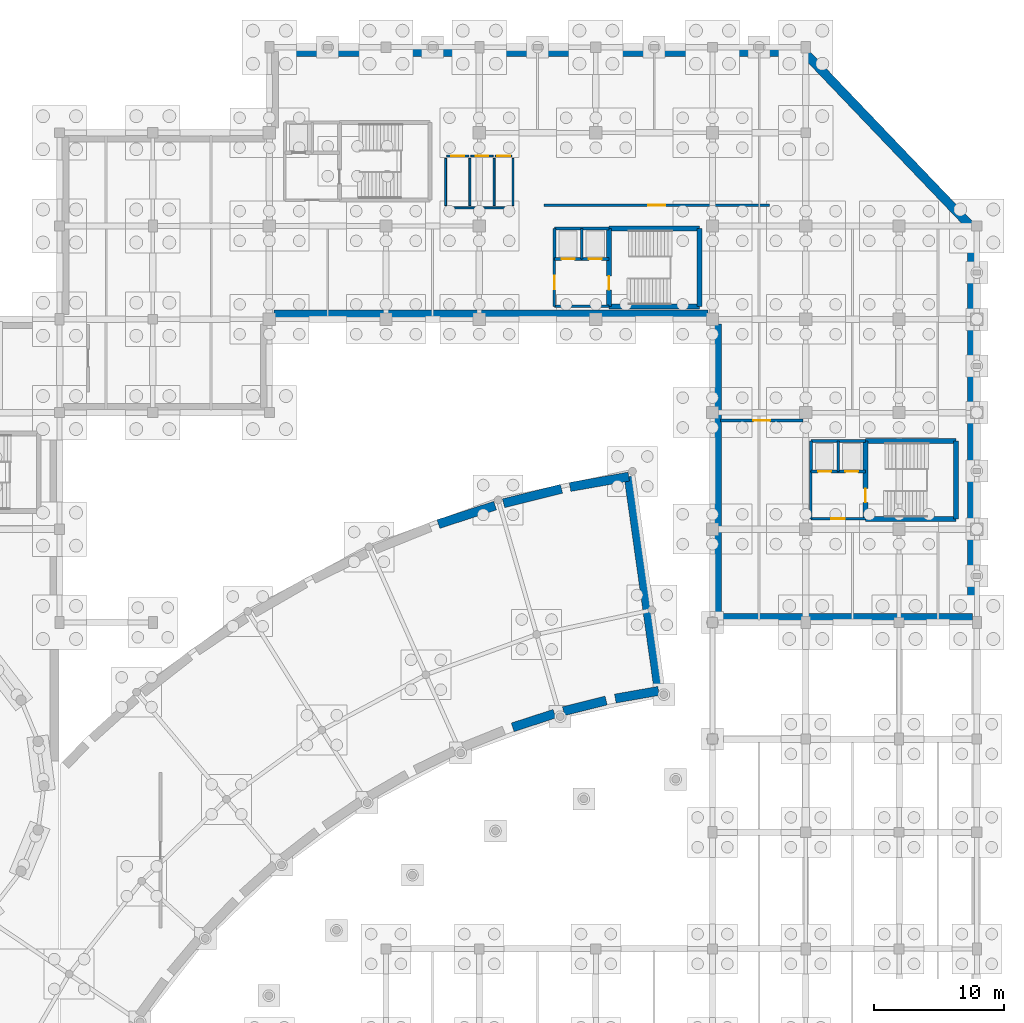
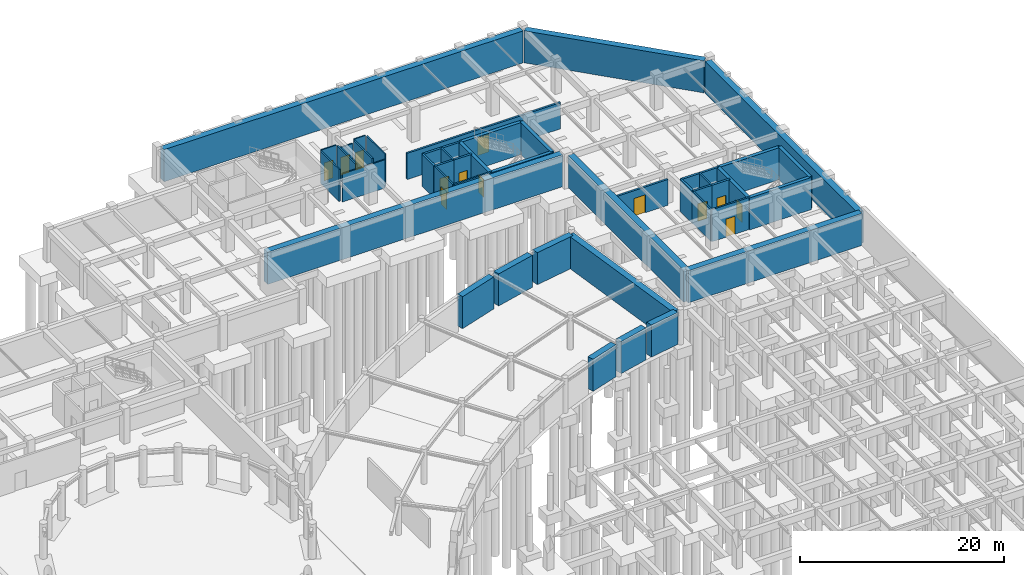
# One storey, part 37 of 42: 45 walls, 13 doors, 13 openings.
"""IFC4 building model written with IfcOpenShell, lengths in metres."""

from ifc_helpers import new_model, si_unit, direction, frame, frame_2d, origin, place, context, subcontext, project, spatial, rectangle, extrude, material, layer, layer_set, type_object, element, fill, save


model = new_model("IFC4")

# Units and contexts
model_context = context("Model", 3, precision=1e-05, world=origin(), true_north=direction((0.0, 1.0)))
body_context = subcontext(model_context, "Body", "Model", "MODEL_VIEW")
ifc_project = project(units=[si_unit("LENGTHUNIT", "METRE"), si_unit("AREAUNIT", "SQUARE_METRE"), si_unit("VOLUMEUNIT", "CUBIC_METRE"), si_unit("PLANEANGLEUNIT", "RADIAN"), si_unit("MASSUNIT", "GRAM", prefix="KILO")], contexts=[model_context])

# Site, building, storey
site_placement = place(None, origin())
site = spatial("IfcSite", under=ifc_project, at=site_placement, CompositionType="ELEMENT")
building_placement = place(site_placement, origin())
building = spatial("IfcBuilding", under=site, at=building_placement, Name="Clarverna Civic Hall", CompositionType="ELEMENT")
storey_placement = place(building_placement, frame((0.0, 0.0, -4.199951171875)))
storey = spatial("IfcBuildingStorey", under=building, at=storey_placement, Name="B01", CompositionType="ELEMENT", Elevation=-4.199951171875)

# Walls
ifc_material_1 = material(Name="Concrete C30/37", Category="concrete")
ifc_layer_1 = layer(ifc_material_1, 0.699951171875)
ifc_layer_set_1 = layer_set([ifc_layer_1], Name="Concrete C30/37")
wall_type_1 = type_object("IfcWallType", Name="DW-01", PredefinedType="SOLIDWALL", material=ifc_layer_set_1)
wall_1_placement = place(storey_placement, frame((113.75, 115.64990234375, 0.0), z_axis=(0.0, 0.0, 1.0), x_axis=(1.0, 0.0, 0.0)))
element("IfcWall", 1, at=wall_1_placement, inside=storey, type_object=wall_type_1, Name="DW-01-008", PredefinedType="SOLIDWALL", context=body_context, shape_type="SweptSolid", body=[
    extrude(rectangle(XDim=40.699951171875, YDim=0.699951171875, at=frame_2d((20.35009765625, 0.0))), origin(), (0.0, 0.0, 1.0), 3.83984375),
])
wall_2_placement = place(storey_placement, frame((154.7890625, 115.505126953125, 0.0), z_axis=(0.0, 0.0, 1.0), x_axis=(0.691219331489, -0.722645027504, 0.0)))
element("IfcWall", 2, at=wall_2_placement, inside=storey, type_object=wall_type_1, Name="DW-01-009", PredefinedType="SOLIDWALL", context=body_context, shape_type="SweptSolid", body=[
    extrude(rectangle(XDim=18.396484375, YDim=0.699951171875, at=frame_2d((9.1982421875, 0.0))), origin(), (0.0, 0.0, 1.0), 3.83984375),
])
wall_3_placement = place(storey_placement, frame((167.64990234375, 101.85009765625, 0.0), z_axis=(0.0, 0.0, 1.0), x_axis=(0.0, -1.0, 0.0)))
element("IfcWall", 3, at=wall_3_placement, inside=storey, type_object=wall_type_1, Name="DW-01-010", PredefinedType="SOLIDWALL", context=body_context, shape_type="SweptSolid", body=[
    extrude(rectangle(XDim=29.900146484375, YDim=0.699951171875, at=frame_2d((14.9501953125, 0.0))), origin(), (0.0, 0.0, 1.0), 3.83984375),
])
wall_4_placement = place(storey_placement, frame((167.64990234375, 71.949951171875, 0.0), z_axis=(0.0, 0.0, 1.0), x_axis=(-1.0, 0.0, 0.0)))
element("IfcWall", 4, at=wall_4_placement, inside=storey, type_object=wall_type_1, Name="DW-01-011", PredefinedType="SOLIDWALL", context=body_context, shape_type="SweptSolid", body=[
    extrude(rectangle(XDim=19.699951171875, YDim=0.699951171875, at=frame_2d((9.85009765625, 0.0))), origin(), (0.0, 0.0, 1.0), 3.83984375),
])
wall_5_placement = place(storey_placement, frame((147.949951171875, 71.949951171875, 0.0), z_axis=(0.0, 0.0, 1.0), x_axis=(0.0, 1.0, 0.0)))
element("IfcWall", 5, at=wall_5_placement, inside=storey, type_object=wall_type_1, Name="DW-01-012", PredefinedType="SOLIDWALL", context=body_context, shape_type="SweptSolid", body=[
    extrude(rectangle(XDim=22.699951171875, YDim=0.699951171875, at=frame_2d((11.35009765625, 0.0))), origin(), (0.0, 0.0, 1.0), 3.83984375),
])
wall_6_placement = place(storey_placement, frame((147.25, 95.35009765625, 0.0), z_axis=(0.0, 0.0, 1.0), x_axis=(-1.0, 0.0, 0.0)))
element("IfcWall", 6, at=wall_6_placement, inside=storey, type_object=wall_type_1, Name="DW-01-013", PredefinedType="SOLIDWALL", context=body_context, shape_type="SweptSolid", body=[
    extrude(rectangle(XDim=33.5, YDim=0.699951171875, at=frame_2d((16.75, 0.0))), origin(), (0.0, 0.0, 1.0), 3.83984375),
])
for number, where, z_axis, x_axis, name in (
    (7, (126.447509765625, 79.19189453125, 0.0), (0.0, 0.0, 1.0), (0.95104731501, 0.309045311584, 0.0), "DW-01-024"),
    (8, (131.475830078125, 80.801025390625, 0.0), (0.0, 0.0, 1.0), (0.970307570533, 0.241874385923, 0.0), "DW-01-025"),
    (9, (136.604248046875, 82.055419921875, 0.0), (0.0, 0.0, 1.0), (0.984808635587, 0.17364317226, 0.0), "DW-01-026"),
):
    element("IfcWall", number, at=place(storey_placement, frame(where, z_axis=z_axis, x_axis=x_axis)), inside=storey, type_object=wall_type_1, Name=name, PredefinedType="SOLIDWALL", context=body_context, shape_type="SweptSolid", body=[
        extrude(rectangle(XDim=4.604736328125, YDim=0.699951171875, at=frame_2d((2.30224609375, 0.0))), origin(), (0.0, 0.0, 1.0), 3.83984375),
    ])
wall_7_placement = place(storey_placement, frame((141.125, 82.864990234375, 0.0), z_axis=(0.0, 0.0, 1.0), x_axis=(0.139175760023, -0.990267695031, 0.0)))
element("IfcWall", 10, at=wall_7_placement, inside=storey, type_object=wall_type_1, Name="DW-01-027", PredefinedType="SOLIDWALL", context=body_context, shape_type="SweptSolid", body=[
    extrude(rectangle(XDim=16.699951171875, YDim=0.699951171875, at=frame_2d((8.35009765625, 0.0))), origin(), (0.0, 0.0, 1.0), 3.83984375),
])
for number, where, z_axis, x_axis, name in (
    (11, (143.43896484375, 66.313720703125, 0.0), (0.0, 0.0, 1.0), (-0.984798779589, -0.173699060795, 0.0), "DW-01-028"),
    (12, (139.39208984375, 65.57421875, 0.0), (0.0, 0.0, 1.0), (-0.970303256725, -0.241891690615, 0.0), "DW-01-029"),
):
    element("IfcWall", number, at=place(storey_placement, frame(where, z_axis=z_axis, x_axis=x_axis)), inside=storey, type_object=wall_type_1, Name=name, PredefinedType="SOLIDWALL", context=body_context, shape_type="SweptSolid", body=[
        extrude(rectangle(XDim=3.39013671875, YDim=0.699951171875, at=frame_2d((1.695068359375, 0.0))), origin(), (0.0, 0.0, 1.0), 3.83984375),
    ])
wall_8_placement = place(storey_placement, frame((135.40673828125, 64.5546875, 0.0), z_axis=(0.0, 0.0, 1.0), x_axis=(-0.951061054299, -0.309003027485, 0.0)))
element("IfcWall", 13, at=wall_8_placement, inside=storey, type_object=wall_type_1, Name="DW-01-030", PredefinedType="SOLIDWALL", context=body_context, shape_type="SweptSolid", body=[
    extrude(rectangle(XDim=3.390380859375, YDim=0.699951171875, at=frame_2d((1.6953125, 0.0))), origin(), (0.0, 0.0, 1.0), 3.83984375),
])
ifc_material_2 = material(Name="Ceramic Brick and Plaster Wet-Room Partition", Category="masonry")
ifc_layer_2 = layer(ifc_material_2, 0.139892578125)
ifc_layer_set_2 = layer_set([ifc_layer_2], Name="Ceramic Brick and Plaster Wet-Room Partition")
wall_type_2 = type_object("IfcWallType", Name="PW-02", PredefinedType="PARTITIONING", material=ifc_layer_set_2)
wall_9_placement = place(storey_placement, frame((127.179931640625, 103.60009765625, 0.0), z_axis=(0.0, 0.0, 1.0), x_axis=(1.0, 0.0, 0.0)))
element("IfcWall", 14, at=wall_9_placement, inside=storey, type_object=wall_type_2, Name="PW-02-001", PredefinedType="PARTITIONING", context=body_context, shape_type="SweptSolid", body=[
    extrude(rectangle(XDim=4.840087890625, YDim=0.139892578125, at=frame_2d((2.419921875, 0.0))), origin(), (0.0, 0.0, 1.0), 3.389892578125),
])
for number, where, z_axis, x_axis, name in (
    (15, (127.0, 103.780029296875, 0.0), (0.0, 0.0, 1.0), (0.0, 1.0, 0.0), "PW-02-002"),
    (16, (132.199951171875, 103.780029296875, 0.0), (0.0, 0.0, 1.0), (0.0, 1.0, 0.0), "PW-02-003"),
    (17, (128.8720703125, 103.780029296875, 0.0), (0.0, 0.0, 1.0), (0.0, 1.0, 0.0), "PW-02-004"),
    (18, (130.743896484375, 103.780029296875, 0.0), (0.0, 0.0, 1.0), (0.0, 1.0, 0.0), "PW-02-005"),
):
    element("IfcWall", number, at=place(storey_placement, frame(where, z_axis=z_axis, x_axis=x_axis)), inside=storey, type_object=wall_type_2, Name=name, PredefinedType="PARTITIONING", context=body_context, shape_type="SweptSolid", body=[
        extrude(rectangle(XDim=3.639892578125, YDim=0.139892578125, at=frame_2d((1.81982421875, 0.0))), origin(), (0.0, 0.0, 1.0), 3.83984375),
    ])

# Wall, opening, door
wall_10_placement = place(storey_placement, frame((127.080078125, 107.60009765625, 0.0), z_axis=(0.0, 0.0, 1.0), x_axis=(1.0, 0.0, 0.0)))
wall_10 = element("IfcWall", 19, at=wall_10_placement, inside=storey, type_object=wall_type_2, Name="PW-02-006", PredefinedType="PARTITIONING", context=body_context, shape_type="SweptSolid", body=[
    extrude(rectangle(XDim=1.7119140625, YDim=0.139892578125, at=frame_2d((0.85595703125, 0.0))), origin(), (0.0, 0.0, 1.0), 3.83984375),
])
opening_1_placement = place(wall_10_placement, frame((0.35595703125, 0.0, 0.0)))
opening_1 = element("IfcOpeningElement", 20, at=opening_1_placement, cuts=wall_10, Name="Opening ID-02", PredefinedType="OPENING", context=body_context, shape_type="SweptSolid", body=[
    extrude(rectangle(XDim=1.0, YDim=2.14990234375, at=frame_2d((0.5, 1.074951171875))), frame((0.0, 0.079833984375, 0.0), z_axis=(0.0, -1.0, 0.0), x_axis=(1.0, 0.0, 0.0)), (0.0, 0.0, 1.0), 0.159912109375),
])
ifc_material_3 = material(Name="European Oak Veneered Acoustic Timber Door", Category="wood")
door_type_1 = type_object("IfcDoorType", Name="ID-02", OperationType="NOTDEFINED", PredefinedType="DOOR", material=ifc_material_3)
door_1_placement = place(opening_1_placement, origin())
door_1 = element("IfcDoor", 21, at=door_1_placement, inside=storey, type_object=door_type_1, Name="ID-02-001", OperationType="SINGLE_SWING_LEFT", OverallHeight=2.14990234375, OverallWidth=1.0, PredefinedType="DOOR", context=body_context, shape_type="SweptSolid", body=[
    extrude(rectangle(XDim=1.0, YDim=2.14990234375, at=frame_2d((0.5, 1.074951171875))), frame((0.0, 0.02490234375, 0.0), z_axis=(0.0, -1.0, 0.0), x_axis=(1.0, 0.0, 0.0)), (0.0, 0.0, 1.0), 0.050048828125),
])
fill(opening_1, door_1)

wall_11_placement = place(storey_placement, frame((128.951904296875, 107.60009765625, 0.0), z_axis=(0.0, 0.0, 1.0), x_axis=(1.0, 0.0, 0.0)))
wall_11 = element("IfcWall", 22, at=wall_11_placement, inside=storey, type_object=wall_type_2, Name="PW-02-007", PredefinedType="PARTITIONING", context=body_context, shape_type="SweptSolid", body=[
    extrude(rectangle(XDim=1.712158203125, YDim=0.139892578125, at=frame_2d((0.85595703125, 0.0))), origin(), (0.0, 0.0, 1.0), 3.389892578125),
])
opening_2_placement = place(wall_11_placement, frame((0.35595703125, 0.0, 0.0)))
opening_2 = element("IfcOpeningElement", 23, at=opening_2_placement, cuts=wall_11, Name="Opening ID-02", PredefinedType="OPENING", context=body_context, shape_type="SweptSolid", body=[
    extrude(rectangle(XDim=1.0, YDim=2.14990234375, at=frame_2d((0.5, 1.074951171875))), frame((0.0, 0.079833984375, 0.0), z_axis=(0.0, -1.0, 0.0), x_axis=(1.0, 0.0, 0.0)), (0.0, 0.0, 1.0), 0.159912109375),
])
door_2_placement = place(opening_2_placement, origin())
door_2 = element("IfcDoor", 24, at=door_2_placement, inside=storey, type_object=door_type_1, Name="ID-02-002", OperationType="SINGLE_SWING_RIGHT", OverallHeight=2.14990234375, OverallWidth=1.0, PredefinedType="DOOR", context=body_context, shape_type="SweptSolid", body=[
    extrude(rectangle(XDim=1.0, YDim=2.14990234375, at=frame_2d((0.5, 1.074951171875))), frame((0.0, 0.02490234375, 0.0), z_axis=(0.0, -1.0, 0.0), x_axis=(1.0, 0.0, 0.0)), (0.0, 0.0, 1.0), 0.050048828125),
])
fill(opening_2, door_2)

wall_12_placement = place(storey_placement, frame((130.823974609375, 107.60009765625, 0.0), z_axis=(0.0, 0.0, 1.0), x_axis=(1.0, 0.0, 0.0)))
wall_12 = element("IfcWall", 25, at=wall_12_placement, inside=storey, type_object=wall_type_2, Name="PW-02-008", PredefinedType="PARTITIONING", context=body_context, shape_type="SweptSolid", body=[
    extrude(rectangle(XDim=1.296142578125, YDim=0.139892578125, at=frame_2d((0.64794921875, 0.0))), origin(), (0.0, 0.0, 1.0), 3.83984375),
])
opening_3_placement = place(wall_12_placement, frame((0.14794921875, 0.0, 0.0)))
opening_3 = element("IfcOpeningElement", 26, at=opening_3_placement, cuts=wall_12, Name="Opening ID-02", PredefinedType="OPENING", context=body_context, shape_type="SweptSolid", body=[
    extrude(rectangle(XDim=1.0, YDim=2.14990234375, at=frame_2d((0.5, 1.074951171875))), frame((0.0, 0.079833984375, 0.0), z_axis=(0.0, -1.0, 0.0), x_axis=(1.0, 0.0, 0.0)), (0.0, 0.0, 1.0), 0.159912109375),
])
door_3_placement = place(opening_3_placement, origin())
door_3 = element("IfcDoor", 27, at=door_3_placement, inside=storey, type_object=door_type_1, Name="ID-02-003", OperationType="SINGLE_SWING_LEFT", OverallHeight=2.14990234375, OverallWidth=1.0, PredefinedType="DOOR", context=body_context, shape_type="SweptSolid", body=[
    extrude(rectangle(XDim=1.0, YDim=2.14990234375, at=frame_2d((0.5, 1.074951171875))), frame((0.0, 0.02490234375, 0.0), z_axis=(0.0, -1.0, 0.0), x_axis=(1.0, 0.0, 0.0)), (0.0, 0.0, 1.0), 0.050048828125),
])
fill(opening_3, door_3)

ifc_material_4 = material(Name="Aerated Concrete Masonry Blockwork", Category="masonry")
ifc_layer_3 = layer(ifc_material_4, 0.219970703125)
ifc_layer_set_3 = layer_set([ifc_layer_3], Name="Aerated Concrete Masonry Blockwork")
wall_type_3 = type_object("IfcWallType", Name="PW-05", PredefinedType="PARTITIONING", material=ifc_layer_set_3)
wall_13_placement = place(storey_placement, frame((134.60009765625, 103.800048828125, 0.0), z_axis=(0.0, 0.0, 1.0), x_axis=(1.0, 0.0, 0.0)))
wall_13 = element("IfcWall", 28, at=wall_13_placement, inside=storey, type_object=wall_type_3, Name="PW-05-001", PredefinedType="PARTITIONING", context=body_context, shape_type="SweptSolid", body=[
    extrude(rectangle(XDim=17.39990234375, YDim=0.219970703125, at=frame_2d((8.699951171875, 0.0))), origin(), (0.0, 0.0, 1.0), 3.139892578125),
])
opening_4_placement = place(wall_13_placement, frame((8.050048828125, 0.0, 0.0)))
opening_4 = element("IfcOpeningElement", 29, at=opening_4_placement, cuts=wall_13, Name="Opening FD-05", PredefinedType="OPENING", context=body_context, shape_type="SweptSolid", body=[
    extrude(rectangle(XDim=1.300048828125, YDim=2.14990234375, at=frame_2d((0.64990234375, 1.074951171875))), frame((0.0, 0.119873046875, 0.0), z_axis=(0.0, -1.0, 0.0), x_axis=(1.0, 0.0, 0.0)), (0.0, 0.0, 1.0), 0.239990234375),
])
ifc_material_5 = material(Name="Acoustic Steel Plant Fire Door", Category="steel")
door_type_2 = type_object("IfcDoorType", Name="FD-05", OperationType="NOTDEFINED", PredefinedType="DOOR", material=ifc_material_5)
door_4_placement = place(opening_4_placement, origin())
door_4 = element("IfcDoor", 30, at=door_4_placement, inside=storey, type_object=door_type_2, Name="FD-05-001", OperationType="SINGLE_SWING_RIGHT", OverallHeight=2.14990234375, OverallWidth=1.300048828125, PredefinedType="DOOR", context=body_context, shape_type="SweptSolid", body=[
    extrude(rectangle(XDim=1.300048828125, YDim=2.14990234375, at=frame_2d((0.64990234375, 1.074951171875))), frame((0.0, 0.02490234375, 0.0), z_axis=(0.0, -1.0, 0.0), x_axis=(1.0, 0.0, 0.0)), (0.0, 0.0, 1.0), 0.050048828125),
])
fill(opening_4, door_4)

wall_14_placement = place(storey_placement, frame((148.199951171875, 87.199951171875, 0.0), z_axis=(0.0, 0.0, 1.0), x_axis=(1.0, 0.0, 0.0)))
wall_14 = element("IfcWall", 31, at=wall_14_placement, inside=storey, type_object=wall_type_3, Name="PW-05-002", PredefinedType="PARTITIONING", context=body_context, shape_type="SweptSolid", body=[
    extrude(rectangle(XDim=6.400146484375, YDim=0.219970703125, at=frame_2d((3.2001953125, 0.0))), origin(), (0.0, 0.0, 1.0), 3.08984375),
])
opening_5_placement = place(wall_14_placement, frame((2.550048828125, 0.0, 0.0)))
opening_5 = element("IfcOpeningElement", 32, at=opening_5_placement, cuts=wall_14, Name="Opening FD-05", PredefinedType="OPENING", context=body_context, shape_type="SweptSolid", body=[
    extrude(rectangle(XDim=1.300048828125, YDim=2.14990234375, at=frame_2d((0.64990234375, 1.074951171875))), frame((0.0, 0.119873046875, 0.0), z_axis=(0.0, -1.0, 0.0), x_axis=(1.0, 0.0, 0.0)), (0.0, 0.0, 1.0), 0.239990234375),
])
door_5_placement = place(opening_5_placement, origin())
door_5 = element("IfcDoor", 33, at=door_5_placement, inside=storey, type_object=door_type_2, Name="FD-05-002", OperationType="SINGLE_SWING_LEFT", OverallHeight=2.14990234375, OverallWidth=1.300048828125, PredefinedType="DOOR", context=body_context, shape_type="SweptSolid", body=[
    extrude(rectangle(XDim=1.300048828125, YDim=2.14990234375, at=frame_2d((0.64990234375, 1.074951171875))), frame((0.0, 0.02490234375, 0.0), z_axis=(0.0, -1.0, 0.0), x_axis=(1.0, 0.0, 0.0)), (0.0, 0.0, 1.0), 0.050048828125),
])
fill(opening_5, door_5)

ifc_material_6 = material(Name="Acoustic Gypsum Plasterboard on Twin Frame", Category="gypsum")
ifc_layer_4 = layer(ifc_material_6, 0.18994140625)
ifc_layer_set_4 = layer_set([ifc_layer_4], Name="Acoustic Gypsum Plasterboard on Twin Frame")
wall_type_4 = type_object("IfcWallType", Name="PW-06", PredefinedType="PARTITIONING", material=ifc_layer_set_4)
wall_15_placement = place(storey_placement, frame((135.39990234375, 96.0, 0.0), z_axis=(0.0, 0.0, 1.0), x_axis=(0.0, 1.0, 0.0)))
wall_15 = element("IfcWall", 34, at=wall_15_placement, inside=storey, type_object=wall_type_4, Name="PW-06-001", PredefinedType="PARTITIONING", context=body_context, shape_type="SweptSolid", body=[
    extrude(rectangle(XDim=3.64990234375, YDim=0.18994140625, at=frame_2d((1.824951171875, 0.0))), origin(), (0.0, 0.0, 1.0), 3.83984375),
])
opening_6_placement = place(wall_15_placement, frame((1.300048828125, 0.0, 0.0)))
opening_6 = element("IfcOpeningElement", 35, at=opening_6_placement, cuts=wall_15, Name="Opening FD-02", PredefinedType="OPENING", context=body_context, shape_type="SweptSolid", body=[
    extrude(rectangle(XDim=1.050048828125, YDim=2.14990234375, at=frame_2d((0.52490234375, 1.074951171875))), frame((0.0, 0.10498046875, 0.0), z_axis=(0.0, -1.0, 0.0), x_axis=(1.0, 0.0, 0.0)), (0.0, 0.0, 1.0), 0.2099609375),
])
ifc_material_7 = material(Name="Acoustic Timber-Faced Fire Door", Category="wood")
door_type_3 = type_object("IfcDoorType", Name="FD-02", OperationType="NOTDEFINED", PredefinedType="DOOR", material=ifc_material_7)
door_6_placement = place(opening_6_placement, origin())
door_6 = element("IfcDoor", 36, at=door_6_placement, inside=storey, type_object=door_type_3, Name="FD-02-002", OperationType="SINGLE_SWING_RIGHT", OverallHeight=2.14990234375, OverallWidth=1.050048828125, PredefinedType="DOOR", context=body_context, shape_type="SweptSolid", body=[
    extrude(rectangle(XDim=1.050048828125, YDim=2.14990234375, at=frame_2d((0.52490234375, 1.074951171875))), frame((0.0, 0.02490234375, 0.0), z_axis=(0.0, -1.0, 0.0), x_axis=(1.0, 0.0, 0.0)), (0.0, 0.0, 1.0), 0.050048828125),
])
fill(opening_6, door_6)

# Walls
wall_16_placement = place(storey_placement, frame((135.39990234375, 96.0, 0.0), z_axis=(0.0, 0.0, 1.0), x_axis=(1.0, 0.0, 0.0)))
element("IfcWall", 37, at=wall_16_placement, inside=storey, type_object=wall_type_4, Name="PW-06-002", PredefinedType="PARTITIONING", context=body_context, shape_type="SweptSolid", body=[
    extrude(rectangle(XDim=4.2001953125, YDim=0.18994140625, at=frame_2d((2.10009765625, 0.0))), origin(), (0.0, 0.0, 1.0), 3.83984375),
])
wall_17_placement = place(storey_placement, frame((155.199951171875, 79.60009765625, 0.0), z_axis=(0.0, 0.0, 1.0), x_axis=(0.0, 1.0, 0.0)))
element("IfcWall", 38, at=wall_17_placement, inside=storey, type_object=wall_type_4, Name="PW-06-019", PredefinedType="PARTITIONING", context=body_context, shape_type="SweptSolid", body=[
    extrude(rectangle(XDim=3.64990234375, YDim=0.18994140625, at=frame_2d((1.824951171875, 0.0))), origin(), (0.0, 0.0, 1.0), 3.83984375),
])

# Wall, opening, door
wall_18_placement = place(storey_placement, frame((155.199951171875, 79.60009765625, 0.0), z_axis=(0.0, 0.0, 1.0), x_axis=(1.0, 0.0, 0.0)))
wall_18 = element("IfcWall", 39, at=wall_18_placement, inside=storey, type_object=wall_type_4, Name="PW-06-020", PredefinedType="PARTITIONING", context=body_context, shape_type="SweptSolid", body=[
    extrude(rectangle(XDim=4.199951171875, YDim=0.18994140625, at=frame_2d((2.10009765625, 0.0))), origin(), (0.0, 0.0, 1.0), 3.83984375),
])
opening_7_placement = place(wall_18_placement, frame((1.574951171875, 0.0, 0.0)))
opening_7 = element("IfcOpeningElement", 40, at=opening_7_placement, cuts=wall_18, Name="Opening FD-02", PredefinedType="OPENING", context=body_context, shape_type="SweptSolid", body=[
    extrude(rectangle(XDim=1.050048828125, YDim=2.14990234375, at=frame_2d((0.52490234375, 1.074951171875))), frame((0.0, 0.10498046875, 0.0), z_axis=(0.0, -1.0, 0.0), x_axis=(1.0, 0.0, 0.0)), (0.0, 0.0, 1.0), 0.2099609375),
])
door_7_placement = place(opening_7_placement, origin())
door_7 = element("IfcDoor", 41, at=door_7_placement, inside=storey, type_object=door_type_3, Name="FD-02-019", OperationType="SINGLE_SWING_RIGHT", OverallHeight=2.14990234375, OverallWidth=1.050048828125, PredefinedType="DOOR", context=body_context, shape_type="SweptSolid", body=[
    extrude(rectangle(XDim=1.050048828125, YDim=2.14990234375, at=frame_2d((0.52490234375, 1.074951171875))), frame((0.0, 0.02490234375, 0.0), z_axis=(0.0, -1.0, 0.0), x_axis=(1.0, 0.0, 0.0)), (0.0, 0.0, 1.0), 0.050048828125),
])
fill(opening_7, door_7)

ifc_material_8 = material(Name="Concrete C35/45", Category="concrete")
ifc_layer_5 = layer(ifc_material_8, 0.3798828125)
ifc_layer_set_5 = layer_set([ifc_layer_5], Name="Concrete C35/45")
wall_type_5 = type_object("IfcWallType", Name="SW-01", PredefinedType="SHEAR", material=ifc_layer_set_5)
wall_19_placement = place(storey_placement, frame((139.60009765625, 96.0, 0.0), z_axis=(0.0, 0.0, 1.0), x_axis=(0.0, 1.0, 0.0)))
wall_19 = element("IfcWall", 42, at=wall_19_placement, inside=storey, type_object=wall_type_5, Name="SW-01-001", PredefinedType="SHEAR", context=body_context, shape_type="SweptSolid", body=[
    extrude(rectangle(XDim=6.0, YDim=0.3798828125, at=frame_2d((3.0, 0.0))), origin(), (0.0, 0.0, 1.0), 3.83984375),
])
opening_8_placement = place(wall_19_placement, frame((1.27490234375, 0.0, 0.0)))
opening_8 = element("IfcOpeningElement", 43, at=opening_8_placement, cuts=wall_19, Name="Opening FD-02", PredefinedType="OPENING", context=body_context, shape_type="SweptSolid", body=[
    extrude(rectangle(XDim=1.050048828125, YDim=2.14990234375, at=frame_2d((0.52490234375, 1.074951171875))), frame((0.0, 0.199951171875, 0.0), z_axis=(0.0, -1.0, 0.0), x_axis=(1.0, 0.0, 0.0)), (0.0, 0.0, 1.0), 0.39990234375),
])
door_8_placement = place(opening_8_placement, origin())
door_8 = element("IfcDoor", 44, at=door_8_placement, inside=storey, type_object=door_type_3, Name="FD-02-001", OperationType="SINGLE_SWING_LEFT", OverallHeight=2.14990234375, OverallWidth=1.050048828125, PredefinedType="DOOR", context=body_context, shape_type="SweptSolid", body=[
    extrude(rectangle(XDim=1.050048828125, YDim=2.14990234375, at=frame_2d((0.52490234375, 1.074951171875))), frame((0.0, 0.02490234375, 0.0), z_axis=(0.0, -1.0, 0.0), x_axis=(1.0, 0.0, 0.0)), (0.0, 0.0, 1.0), 0.050048828125),
])
fill(opening_8, door_8)

# Walls
wall_20_placement = place(storey_placement, frame((146.60009765625, 96.0, 0.0), z_axis=(0.0, 0.0, 1.0), x_axis=(0.0, 1.0, 0.0)))
element("IfcWall", 45, at=wall_20_placement, inside=storey, type_object=wall_type_5, Name="SW-01-002", PredefinedType="SHEAR", context=body_context, shape_type="SweptSolid", body=[
    extrude(rectangle(XDim=6.0, YDim=0.3798828125, at=frame_2d((3.0, 0.0))), origin(), (0.0, 0.0, 1.0), 3.83984375),
])
for number, where, z_axis, x_axis, name in (
    (46, (139.60009765625, 96.0, 0.0), (0.0, 0.0, 1.0), (1.0, 0.0, 0.0), "SW-01-003"),
    (47, (139.60009765625, 102.0, 0.0), (0.0, 0.0, 1.0), (1.0, 0.0, 0.0), "SW-01-004"),
):
    element("IfcWall", number, at=place(storey_placement, frame(where, z_axis=z_axis, x_axis=x_axis)), inside=storey, type_object=wall_type_5, Name=name, PredefinedType="SHEAR", context=body_context, shape_type="SweptSolid", body=[
        extrude(rectangle(XDim=7.0, YDim=0.3798828125, at=frame_2d((3.5, 0.0))), origin(), (0.0, 0.0, 1.0), 3.83984375),
    ])
wall_21_placement = place(storey_placement, frame((135.39990234375, 102.0, 0.0), z_axis=(0.0, 0.0, 1.0), x_axis=(1.0, 0.0, 0.0)))
element("IfcWall", 48, at=wall_21_placement, inside=storey, type_object=wall_type_5, Name="SW-01-005", PredefinedType="SHEAR", context=body_context, shape_type="SweptSolid", body=[
    extrude(rectangle(XDim=4.2001953125, YDim=0.239990234375, at=frame_2d((2.10009765625, 0.0))), origin(), (0.0, 0.0, 1.0), 3.83984375),
])
wall_22_placement = place(storey_placement, frame((135.39990234375, 99.64990234375, 0.0), z_axis=(0.0, 0.0, 1.0), x_axis=(0.0, 1.0, 0.0)))
element("IfcWall", 49, at=wall_22_placement, inside=storey, type_object=wall_type_5, Name="SW-01-006", PredefinedType="SHEAR", context=body_context, shape_type="SweptSolid", body=[
    extrude(rectangle(XDim=2.35009765625, YDim=0.239990234375, at=frame_2d((1.175048828125, 0.0))), origin(), (0.0, 0.0, 1.0), 3.83984375),
])
wall_23_placement = place(storey_placement, frame((137.5, 99.64990234375, 0.0), z_axis=(0.0, 0.0, 1.0), x_axis=(0.0, 1.0, 0.0)))
element("IfcWall", 50, at=wall_23_placement, inside=storey, type_object=wall_type_5, Name="SW-01-007", PredefinedType="SHEAR", context=body_context, shape_type="SweptSolid", body=[
    extrude(rectangle(XDim=2.35009765625, YDim=0.199951171875, at=frame_2d((1.175048828125, 0.0))), origin(), (0.0, 0.0, 1.0), 3.83984375),
])

# Wall, opening, door
wall_24_placement = place(storey_placement, frame((135.39990234375, 99.64990234375, 0.0), z_axis=(0.0, 0.0, 1.0), x_axis=(1.0, 0.0, 0.0)))
wall_24 = element("IfcWall", 51, at=wall_24_placement, inside=storey, type_object=wall_type_5, Name="SW-01-008", PredefinedType="SHEAR", context=body_context, shape_type="SweptSolid", body=[
    extrude(rectangle(XDim=2.10009765625, YDim=0.239990234375, at=frame_2d((1.050048828125, 0.0))), origin(), (0.0, 0.0, 1.0), 3.83984375),
])
opening_9_placement = place(wall_24_placement, frame((0.550048828125, 0.0, 0.0)))
opening_9 = element("IfcOpeningElement", 52, at=opening_9_placement, cuts=wall_24, Name="Opening LD-01", PredefinedType="OPENING", context=body_context, shape_type="SweptSolid", body=[
    extrude(rectangle(XDim=1.0, YDim=2.10009765625, at=frame_2d((0.5, 1.050048828125))), frame((0.0, 0.1298828125, 0.0), z_axis=(0.0, -1.0, 0.0), x_axis=(1.0, 0.0, 0.0)), (0.0, 0.0, 1.0), 0.260009765625),
])
ifc_material_9 = material(Name="Brushed Bronze Stainless Lift Landing Door")
door_type_4 = type_object("IfcDoorType", Name="LD-01", OperationType="SLIDING_TO_LEFT", PredefinedType="DOOR", material=ifc_material_9)
door_9_placement = place(opening_9_placement, origin())
door_9 = element("IfcDoor", 53, at=door_9_placement, inside=storey, type_object=door_type_4, Name="LD-01-001", OperationType="SLIDING_TO_LEFT", OverallHeight=2.10009765625, OverallWidth=1.0, PredefinedType="DOOR", context=body_context, shape_type="SweptSolid", body=[
    extrude(rectangle(XDim=1.0, YDim=2.10009765625, at=frame_2d((0.5, 1.050048828125))), frame((0.0, 0.02490234375, 0.0), z_axis=(0.0, -1.0, 0.0), x_axis=(1.0, 0.0, 0.0)), (0.0, 0.0, 1.0), 0.050048828125),
])
fill(opening_9, door_9)

wall_25_placement = place(storey_placement, frame((137.5, 99.64990234375, 0.0), z_axis=(0.0, 0.0, 1.0), x_axis=(1.0, 0.0, 0.0)))
wall_25 = element("IfcWall", 54, at=wall_25_placement, inside=storey, type_object=wall_type_5, Name="SW-01-009", PredefinedType="SHEAR", context=body_context, shape_type="SweptSolid", body=[
    extrude(rectangle(XDim=2.10009765625, YDim=0.239990234375, at=frame_2d((1.050048828125, 0.0))), origin(), (0.0, 0.0, 1.0), 3.83984375),
])
opening_10_placement = place(wall_25_placement, frame((0.550048828125, 0.0, 0.0)))
opening_10 = element("IfcOpeningElement", 55, at=opening_10_placement, cuts=wall_25, Name="Opening LD-01", PredefinedType="OPENING", context=body_context, shape_type="SweptSolid", body=[
    extrude(rectangle(XDim=1.0, YDim=2.10009765625, at=frame_2d((0.5, 1.050048828125))), frame((0.0, 0.1298828125, 0.0), z_axis=(0.0, -1.0, 0.0), x_axis=(1.0, 0.0, 0.0)), (0.0, 0.0, 1.0), 0.260009765625),
])
door_10_placement = place(opening_10_placement, origin())
door_10 = element("IfcDoor", 56, at=door_10_placement, inside=storey, type_object=door_type_4, Name="LD-01-002", OperationType="SLIDING_TO_LEFT", OverallHeight=2.10009765625, OverallWidth=1.0, PredefinedType="DOOR", context=body_context, shape_type="SweptSolid", body=[
    extrude(rectangle(XDim=1.0, YDim=2.10009765625, at=frame_2d((0.5, 1.050048828125))), frame((0.0, 0.02490234375, 0.0), z_axis=(0.0, -1.0, 0.0), x_axis=(1.0, 0.0, 0.0)), (0.0, 0.0, 1.0), 0.050048828125),
])
fill(opening_10, door_10)

wall_26_placement = place(storey_placement, frame((159.39990234375, 79.60009765625, 0.0), z_axis=(0.0, 0.0, 1.0), x_axis=(0.0, 1.0, 0.0)))
wall_26 = element("IfcWall", 57, at=wall_26_placement, inside=storey, type_object=wall_type_5, Name="SW-01-082", PredefinedType="SHEAR", context=body_context, shape_type="SweptSolid", body=[
    extrude(rectangle(XDim=6.0, YDim=0.3798828125, at=frame_2d((3.0, 0.0))), origin(), (0.0, 0.0, 1.0), 3.83984375),
])
opening_11_placement = place(wall_26_placement, frame((1.27490234375, 0.0, 0.0)))
opening_11 = element("IfcOpeningElement", 58, at=opening_11_placement, cuts=wall_26, Name="Opening FD-02", PredefinedType="OPENING", context=body_context, shape_type="SweptSolid", body=[
    extrude(rectangle(XDim=1.050048828125, YDim=2.14990234375, at=frame_2d((0.52490234375, 1.074951171875))), frame((0.0, 0.199951171875, 0.0), z_axis=(0.0, -1.0, 0.0), x_axis=(1.0, 0.0, 0.0)), (0.0, 0.0, 1.0), 0.39990234375),
])
door_11_placement = place(opening_11_placement, origin())
door_11 = element("IfcDoor", 59, at=door_11_placement, inside=storey, type_object=door_type_3, Name="FD-02-018", OperationType="SINGLE_SWING_LEFT", OverallHeight=2.14990234375, OverallWidth=1.050048828125, PredefinedType="DOOR", context=body_context, shape_type="SweptSolid", body=[
    extrude(rectangle(XDim=1.050048828125, YDim=2.14990234375, at=frame_2d((0.52490234375, 1.074951171875))), frame((0.0, 0.02490234375, 0.0), z_axis=(0.0, -1.0, 0.0), x_axis=(1.0, 0.0, 0.0)), (0.0, 0.0, 1.0), 0.050048828125),
])
fill(opening_11, door_11)

# Walls
wall_27_placement = place(storey_placement, frame((166.39990234375, 79.60009765625, 0.0), z_axis=(0.0, 0.0, 1.0), x_axis=(0.0, 1.0, 0.0)))
element("IfcWall", 60, at=wall_27_placement, inside=storey, type_object=wall_type_5, Name="SW-01-083", PredefinedType="SHEAR", context=body_context, shape_type="SweptSolid", body=[
    extrude(rectangle(XDim=6.0, YDim=0.3798828125, at=frame_2d((3.0, 0.0))), origin(), (0.0, 0.0, 1.0), 3.83984375),
])
for number, where, z_axis, x_axis, name in (
    (61, (159.39990234375, 79.60009765625, 0.0), (0.0, 0.0, 1.0), (1.0, 0.0, 0.0), "SW-01-084"),
    (62, (159.39990234375, 85.60009765625, 0.0), (0.0, 0.0, 1.0), (1.0, 0.0, 0.0), "SW-01-085"),
):
    element("IfcWall", number, at=place(storey_placement, frame(where, z_axis=z_axis, x_axis=x_axis)), inside=storey, type_object=wall_type_5, Name=name, PredefinedType="SHEAR", context=body_context, shape_type="SweptSolid", body=[
        extrude(rectangle(XDim=7.0, YDim=0.3798828125, at=frame_2d((3.5, 0.0))), origin(), (0.0, 0.0, 1.0), 3.83984375),
    ])
wall_28_placement = place(storey_placement, frame((155.199951171875, 85.60009765625, 0.0), z_axis=(0.0, 0.0, 1.0), x_axis=(1.0, 0.0, 0.0)))
element("IfcWall", 63, at=wall_28_placement, inside=storey, type_object=wall_type_5, Name="SW-01-086", PredefinedType="SHEAR", context=body_context, shape_type="SweptSolid", body=[
    extrude(rectangle(XDim=4.199951171875, YDim=0.239990234375, at=frame_2d((2.10009765625, 0.0))), origin(), (0.0, 0.0, 1.0), 3.83984375),
])
wall_29_placement = place(storey_placement, frame((155.199951171875, 83.25, 0.0), z_axis=(0.0, 0.0, 1.0), x_axis=(0.0, 1.0, 0.0)))
element("IfcWall", 64, at=wall_29_placement, inside=storey, type_object=wall_type_5, Name="SW-01-087", PredefinedType="SHEAR", context=body_context, shape_type="SweptSolid", body=[
    extrude(rectangle(XDim=2.35009765625, YDim=0.239990234375, at=frame_2d((1.175048828125, 0.0))), origin(), (0.0, 0.0, 1.0), 3.83984375),
])
wall_30_placement = place(storey_placement, frame((157.300048828125, 83.25, 0.0), z_axis=(0.0, 0.0, 1.0), x_axis=(0.0, 1.0, 0.0)))
element("IfcWall", 65, at=wall_30_placement, inside=storey, type_object=wall_type_5, Name="SW-01-088", PredefinedType="SHEAR", context=body_context, shape_type="SweptSolid", body=[
    extrude(rectangle(XDim=2.35009765625, YDim=0.199951171875, at=frame_2d((1.175048828125, 0.0))), origin(), (0.0, 0.0, 1.0), 3.83984375),
])

# Wall, opening, door
wall_31_placement = place(storey_placement, frame((155.199951171875, 83.25, 0.0), z_axis=(0.0, 0.0, 1.0), x_axis=(1.0, 0.0, 0.0)))
wall_31 = element("IfcWall", 66, at=wall_31_placement, inside=storey, type_object=wall_type_5, Name="SW-01-089", PredefinedType="SHEAR", context=body_context, shape_type="SweptSolid", body=[
    extrude(rectangle(XDim=2.10009765625, YDim=0.239990234375, at=frame_2d((1.050048828125, 0.0))), origin(), (0.0, 0.0, 1.0), 3.83984375),
])
opening_12_placement = place(wall_31_placement, frame((0.550048828125, 0.0, 0.0)))
opening_12 = element("IfcOpeningElement", 67, at=opening_12_placement, cuts=wall_31, Name="Opening LD-01", PredefinedType="OPENING", context=body_context, shape_type="SweptSolid", body=[
    extrude(rectangle(XDim=1.0, YDim=2.10009765625, at=frame_2d((0.5, 1.050048828125))), frame((0.0, 0.1298828125, 0.0), z_axis=(0.0, -1.0, 0.0), x_axis=(1.0, 0.0, 0.0)), (0.0, 0.0, 1.0), 0.260009765625),
])
door_12_placement = place(opening_12_placement, origin())
door_12 = element("IfcDoor", 68, at=door_12_placement, inside=storey, type_object=door_type_4, Name="LD-01-019", OperationType="SLIDING_TO_LEFT", OverallHeight=2.10009765625, OverallWidth=1.0, PredefinedType="DOOR", context=body_context, shape_type="SweptSolid", body=[
    extrude(rectangle(XDim=1.0, YDim=2.10009765625, at=frame_2d((0.5, 1.050048828125))), frame((0.0, 0.02490234375, 0.0), z_axis=(0.0, -1.0, 0.0), x_axis=(1.0, 0.0, 0.0)), (0.0, 0.0, 1.0), 0.050048828125),
])
fill(opening_12, door_12)

wall_32_placement = place(storey_placement, frame((157.300048828125, 83.25, 0.0), z_axis=(0.0, 0.0, 1.0), x_axis=(1.0, 0.0, 0.0)))
wall_32 = element("IfcWall", 69, at=wall_32_placement, inside=storey, type_object=wall_type_5, Name="SW-01-090", PredefinedType="SHEAR", context=body_context, shape_type="SweptSolid", body=[
    extrude(rectangle(XDim=2.099853515625, YDim=0.239990234375, at=frame_2d((1.0498046875, 0.0))), origin(), (0.0, 0.0, 1.0), 3.83984375),
])
opening_13_placement = place(wall_32_placement, frame((0.550048828125, 0.0, 0.0)))
opening_13 = element("IfcOpeningElement", 70, at=opening_13_placement, cuts=wall_32, Name="Opening LD-01", PredefinedType="OPENING", context=body_context, shape_type="SweptSolid", body=[
    extrude(rectangle(XDim=1.0, YDim=2.10009765625, at=frame_2d((0.5, 1.050048828125))), frame((0.0, 0.1298828125, 0.0), z_axis=(0.0, -1.0, 0.0), x_axis=(1.0, 0.0, 0.0)), (0.0, 0.0, 1.0), 0.260009765625),
])
door_13_placement = place(opening_13_placement, origin())
door_13 = element("IfcDoor", 71, at=door_13_placement, inside=storey, type_object=door_type_4, Name="LD-01-020", OperationType="SLIDING_TO_LEFT", OverallHeight=2.10009765625, OverallWidth=1.0, PredefinedType="DOOR", context=body_context, shape_type="SweptSolid", body=[
    extrude(rectangle(XDim=1.0, YDim=2.10009765625, at=frame_2d((0.5, 1.050048828125))), frame((0.0, 0.02490234375, 0.0), z_axis=(0.0, -1.0, 0.0), x_axis=(1.0, 0.0, 0.0)), (0.0, 0.0, 1.0), 0.050048828125),
])
fill(opening_13, door_13)

save(model, "model.ifc")
